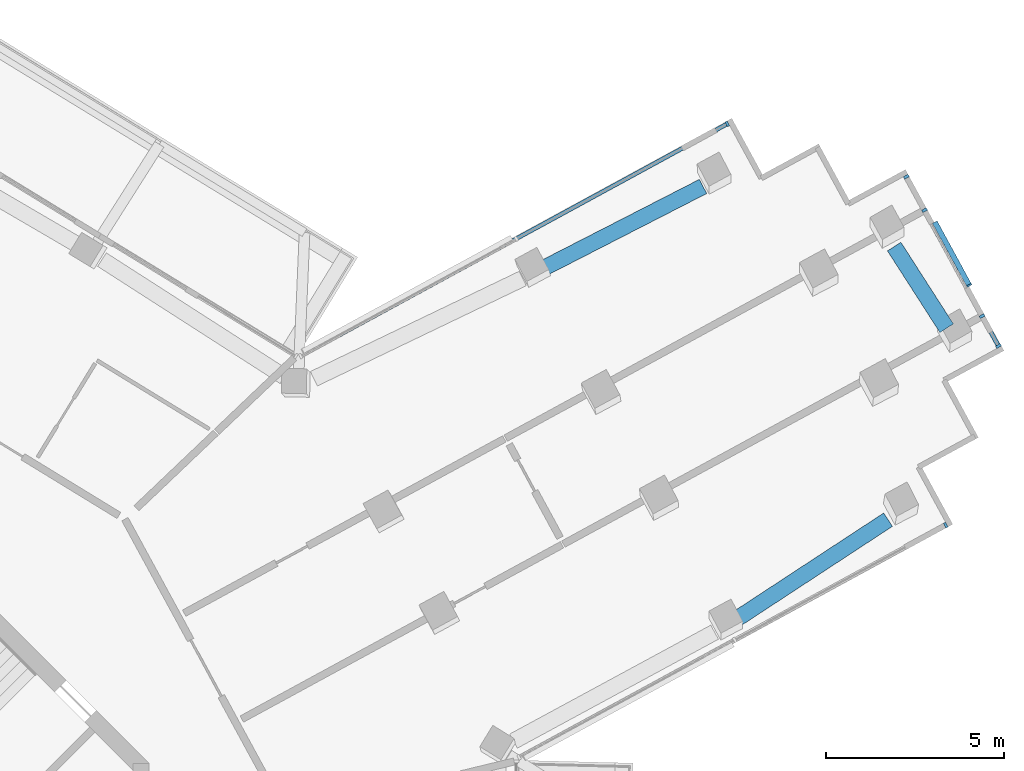
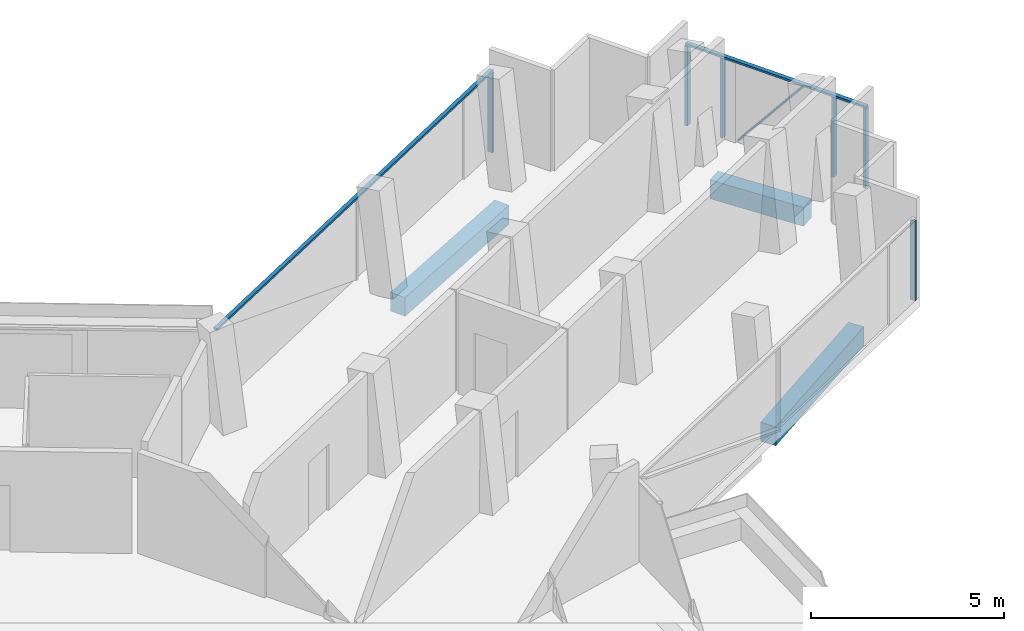
# One storey, part 9 of 24: 9 members, 3 beams, 3 elements without a shape of their own.
"""IFC4 building model written with IfcOpenShell, lengths in metres."""

from ifc_helpers import new_model, si_unit, direction, frame, origin, origin_2d, place, context, subcontext, project, spatial, rectangle, extrude, material, layer, layer_set, material_profile, profile_set, type_object, element, aggregate, save


model = new_model("IFC4")

# Units and contexts
model_context = context("Model", 3, precision=1e-05, world=origin(), true_north=direction((0.0, 1.0)))
body_context = subcontext(model_context, "Body", "Model", "MODEL_VIEW")
ifc_project = project(units=[si_unit("LENGTHUNIT", "METRE"), si_unit("AREAUNIT", "SQUARE_METRE"), si_unit("VOLUMEUNIT", "CUBIC_METRE"), si_unit("PLANEANGLEUNIT", "RADIAN"), si_unit("MASSUNIT", "GRAM", prefix="KILO")], contexts=[model_context])

# Site, building, storey
site_placement = place(None, origin())
site = spatial("IfcSite", under=ifc_project, at=site_placement, CompositionType="ELEMENT")
building_placement = place(site_placement, origin())
building = spatial("IfcBuilding", under=site, at=building_placement, Name="Verdalira Terraces Hotel", CompositionType="ELEMENT")
storey_placement = place(building_placement, frame((0.0, 0.0, 274.0)))
storey = spatial("IfcBuildingStorey", under=building, at=storey_placement, Name="L67", CompositionType="ELEMENT", Elevation=274.0)

# Curtain wall, member
ifc_material_1 = material(Name="Clear glass", Category="glass")
ifc_layer_1 = layer(ifc_material_1, 0.14990234375)
ifc_layer_set_1 = layer_set([ifc_layer_1], Name="CW2 curtain wall")
curtain_wall_type_1 = type_object("IfcCurtainWallType", Name="CW2 curtain wall", PredefinedType="NOTDEFINED", material=ifc_layer_set_1)
curtain_wall_1_placement = place(storey_placement, origin())
curtain_wall_1 = element("IfcCurtainWall", 1, at=curtain_wall_1_placement, inside=storey, type_object=curtain_wall_type_1, Name="CW2 curtain wall L67 edge 28", PredefinedType="NOTDEFINED")
ifc_material_2 = material(Name="Terracotta frame", Category="masonry")
ifc_material_profile_1 = material_profile(ifc_material_2, rectangle(XDim=0.070068, YDim=0.149902, at=origin_2d()), Name="MU 70x150")
ifc_profile_set_1 = profile_set([ifc_material_profile_1], Name="Terracotta frame")
member_type_1 = type_object("IfcMemberType", Name="CW2 mullion 70x150", PredefinedType="MULLION", material=ifc_profile_set_1)
member_1_placement = place(storey_placement, frame((36.408936, 12.502686, 0.0), z_axis=(0.0, 0.0, 1.0), x_axis=(0.878316951, 0.478078794, 0.0)))
member_1 = element("IfcMember", 2, at=member_1_placement, type_object=member_type_1, Name="CW2 mullion", PredefinedType="MULLION", context=body_context, shape_type="SweptSolid", body=[
    extrude(rectangle(XDim=0.070068, YDim=0.149902, at=origin_2d()), origin(), (0.0, 0.0, 1.0), 2.524902),
])
aggregate(curtain_wall_1, [member_1])

# Curtain wall, members
curtain_wall_2_placement = place(storey_placement, origin())
curtain_wall_2 = element("IfcCurtainWall", 3, at=curtain_wall_2_placement, inside=storey, type_object=curtain_wall_type_1, Name="CW2 curtain wall L67 edge 38", PredefinedType="NOTDEFINED")
member_2_placement = place(storey_placement, frame((30.265625, 23.789062, 0.0), z_axis=(0.0, 0.0, 1.0), x_axis=(-0.878316951, -0.478078794, 0.0)))
member_2 = element("IfcMember", 4, at=member_2_placement, type_object=member_type_1, Name="CW2 mullion", PredefinedType="MULLION", context=body_context, shape_type="SweptSolid", body=[
    extrude(rectangle(XDim=0.070068, YDim=0.149902, at=origin_2d()), origin(), (0.0, 0.0, 1.0), 2.524902),
])
ifc_material_3 = material(Name="Terracotta frame", Category="masonry")
ifc_material_profile_2 = material_profile(ifc_material_3, rectangle(XDim=0.11499, YDim=0.064941, at=origin_2d()), Name="TR 65x115")
ifc_profile_set_2 = profile_set([ifc_material_profile_2], Name="Terracotta frame")
member_type_2 = type_object("IfcMemberType", Name="CW2 transom 65x115", PredefinedType="USERDEFINED", material=ifc_profile_set_2)
member_3_placement = place(storey_placement, frame((30.296387, 23.805908, 2.557617), z_axis=(-0.878311047, -0.478089642, 0.0), x_axis=(0.478089642, -0.878311047, 0.0)))
member_3 = element("IfcMember", 5, at=member_3_placement, type_object=member_type_2, Name="CW2 transom", ObjectType="TRANSOM", PredefinedType="USERDEFINED", context=body_context, shape_type="SweptSolid", body=[
    extrude(rectangle(XDim=0.11499, YDim=0.064941, at=origin_2d()), origin(), (0.0, 0.0, 1.0), 13.732666),
])
aggregate(curtain_wall_2, [member_2, member_3])

ifc_material_4 = material(Name="Clear glass", Category="glass")
ifc_layer_2 = layer(ifc_material_4, 0.14990234375)
ifc_layer_set_2 = layer_set([ifc_layer_2], Name="CW3 curtain wall")
curtain_wall_type_2 = type_object("IfcCurtainWallType", Name="CW3 curtain wall", PredefinedType="NOTDEFINED", material=ifc_layer_set_2)
curtain_wall_3_placement = place(storey_placement, origin())
curtain_wall_3 = element("IfcCurtainWall", 6, at=curtain_wall_3_placement, inside=storey, type_object=curtain_wall_type_2, Name="CW3 curtain wall L67 edge 33", PredefinedType="NOTDEFINED")
ifc_material_5 = material(Name="Terracotta frame", Category="masonry")
ifc_material_profile_3 = material_profile(ifc_material_5, rectangle(XDim=0.080078, YDim=0.149902, at=origin_2d()), Name="MU 80x150")
ifc_profile_set_3 = profile_set([ifc_material_profile_3], Name="Terracotta frame")
member_type_3 = type_object("IfcMemberType", Name="CW3 mullion 80x150", PredefinedType="MULLION", material=ifc_profile_set_3)
member_4_placement = place(storey_placement, frame((37.891602, 17.539307, 0.0), z_axis=(0.0, 0.0, 1.0), x_axis=(-0.478078794, 0.878316951, 0.0)))
member_4 = element("IfcMember", 7, at=member_4_placement, type_object=member_type_3, Name="CW3 mullion", PredefinedType="MULLION", context=body_context, shape_type="SweptSolid", body=[
    extrude(rectangle(XDim=0.080078, YDim=0.149902, at=origin_2d()), origin(), (0.0, 0.0, 1.0), 2.524902),
])
member_5_placement = place(storey_placement, frame((37.43335, 18.381104, 0.0), z_axis=(0.0, 0.0, 1.0), x_axis=(-0.478078794, 0.878316951, 0.0)))
member_5 = element("IfcMember", 8, at=member_5_placement, type_object=member_type_3, Name="CW3 mullion", PredefinedType="MULLION", context=body_context, shape_type="SweptSolid", body=[
    extrude(rectangle(XDim=0.080078, YDim=0.149902, at=origin_2d()), origin(), (0.0, 0.0, 1.0), 2.524902),
])
member_6_placement = place(storey_placement, frame((35.812012, 21.359863, 0.0), z_axis=(0.0, 0.0, 1.0), x_axis=(-0.478078794, 0.878316951, 0.0)))
member_6 = element("IfcMember", 9, at=member_6_placement, type_object=member_type_3, Name="CW3 mullion", PredefinedType="MULLION", context=body_context, shape_type="SweptSolid", body=[
    extrude(rectangle(XDim=0.080078, YDim=0.149902, at=origin_2d()), origin(), (0.0, 0.0, 1.0), 2.524902),
])
member_7_placement = place(storey_placement, frame((35.300293, 22.299805, 0.0), z_axis=(0.0, 0.0, 1.0), x_axis=(-0.478078794, 0.878316951, 0.0)))
member_7 = element("IfcMember", 10, at=member_7_placement, type_object=member_type_3, Name="CW3 mullion", PredefinedType="MULLION", context=body_context, shape_type="SweptSolid", body=[
    extrude(rectangle(XDim=0.080078, YDim=0.149902, at=origin_2d()), origin(), (0.0, 0.0, 1.0), 2.524902),
])
ifc_material_6 = material(Name="Terracotta frame", Category="masonry")
ifc_material_profile_4 = material_profile(ifc_material_6, rectangle(XDim=0.120117, YDim=0.064941, at=origin_2d()), Name="TR 65x120")
ifc_profile_set_4 = profile_set([ifc_material_profile_4], Name="Terracotta frame")
member_type_4 = type_object("IfcMemberType", Name="CW3 transom 65x120", PredefinedType="USERDEFINED", material=ifc_profile_set_4)
member_8_placement = place(storey_placement, frame((37.910645, 17.50415, 2.557617), z_axis=(-0.478068208, 0.878322713, 0.0), x_axis=(-0.878322713, -0.478068208, 0.0)))
member_8 = element("IfcMember", 11, at=member_8_placement, type_object=member_type_4, Name="CW3 transom", ObjectType="TRANSOM", PredefinedType="USERDEFINED", context=body_context, shape_type="SweptSolid", body=[
    extrude(rectangle(XDim=0.120117, YDim=0.064941, at=origin_2d()), origin(), (0.0, 0.0, 1.0), 5.5),
])
ifc_material_7 = material(Name="Terracotta frame", Category="masonry")
ifc_material_profile_5 = material_profile(ifc_material_7, rectangle(XDim=0.149902, YDim=0.060059, at=origin_2d()), Name="GB 60x150")
ifc_profile_set_5 = profile_set([ifc_material_profile_5], Name="Terracotta frame")
member_type_5 = type_object("IfcMemberType", Name="Diagonal glazing bar 60x150", PredefinedType="USERDEFINED", material=ifc_profile_set_5)
member_9_placement = place(storey_placement, frame((37.068359, 19.246094, 2.494873), z_axis=(-0.301498318, 0.55395127, -0.776039145), x_axis=(-0.878333075, -0.47804917, 0.0)))
member_9 = element("IfcMember", 12, at=member_9_placement, type_object=member_type_5, Name="Diagonal glazing bar", ObjectType="GLAZING BAR", PredefinedType="USERDEFINED", context=body_context, shape_type="SweptSolid", body=[
    extrude(rectangle(XDim=0.149902, YDim=0.060059, at=origin_2d()), origin(), (0.0, 0.0, 1.0), 3.175781),
])
aggregate(curtain_wall_3, [member_4, member_5, member_6, member_7, member_8, member_9])

# Beams
ifc_material_8 = material(Name="Concrete C40", Category="concrete")
ifc_material_profile_6 = material_profile(ifc_material_8, rectangle(XDim=0.449951, YDim=0.600098, at=origin_2d()), Name="RC 450X600")
ifc_profile_set_6 = profile_set([ifc_material_profile_6], Name="Concrete C40")
beam_type = type_object("IfcBeamType", Name="Spandrel beam RC 450X600 C40", PredefinedType="SPANDREL", material=ifc_profile_set_6)
beam_1_placement = place(storey_placement, frame((30.539795, 9.869385, -0.610107), z_axis=(0.836226302, 0.548384511, 0.0), x_axis=(-0.548384511, 0.836226302, 0.0)))
element("IfcBeam", 13, at=beam_1_placement, inside=storey, type_object=beam_type, Name="Spandrel beam B20", PredefinedType="SPANDREL", context=body_context, shape_type="SweptSolid", body=[
    extrude(rectangle(XDim=0.449951, YDim=0.600098, at=origin_2d()), origin(), (0.0, 0.0, 1.0), 5.079834),
])
beam_2_placement = place(storey_placement, frame((36.43457, 18.040283, -0.610107), z_axis=(-0.540504456, 0.841341152, 0.0), x_axis=(-0.841341152, -0.540504456, 0.0)))
element("IfcBeam", 14, at=beam_2_placement, inside=storey, type_object=beam_type, Name="Spandrel beam B21", PredefinedType="SPANDREL", context=body_context, shape_type="SweptSolid", body=[
    extrude(rectangle(XDim=0.449951, YDim=0.600098, at=origin_2d()), origin(), (0.0, 0.0, 1.0), 2.72998),
])
beam_3_placement = place(storey_placement, frame((29.583984, 22.028076, -0.610107), z_axis=(-0.889922059, -0.456112628, 0.0), x_axis=(0.456112628, -0.889922059, 0.0)))
element("IfcBeam", 15, at=beam_3_placement, inside=storey, type_object=beam_type, Name="Spandrel beam B22", PredefinedType="SPANDREL", context=body_context, shape_type="SweptSolid", body=[
    extrude(rectangle(XDim=0.449951, YDim=0.600098, at=origin_2d()), origin(), (0.0, 0.0, 1.0), 4.980713),
])

save(model, "model.ifc")
